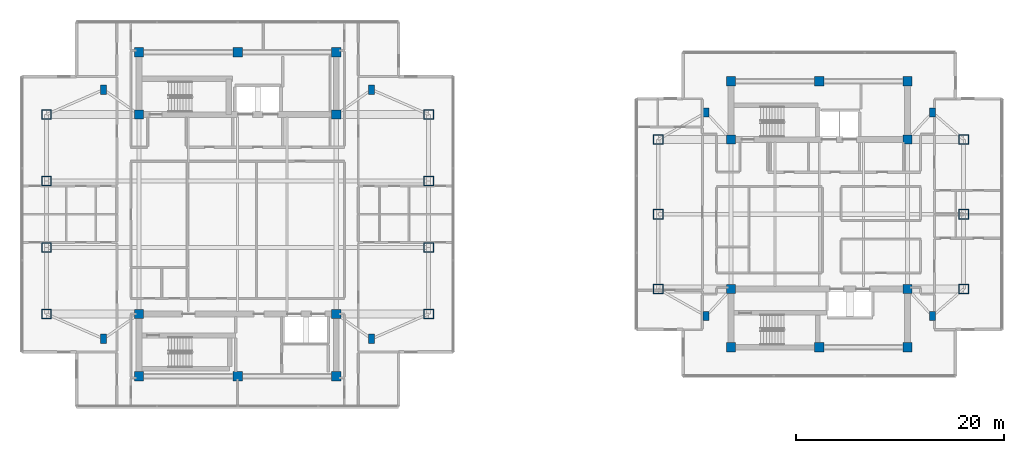
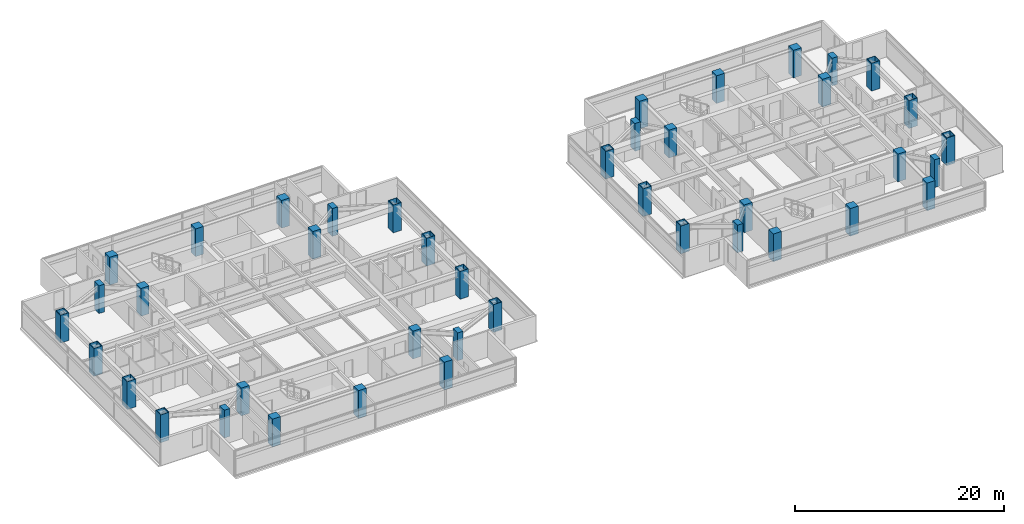
# One storey, part 1 of 24: 42 columns.
"""IFC4 building model written with IfcOpenShell, lengths in metres."""

from ifc_helpers import new_model, si_unit, direction, frame, origin, origin_2d, place, context, subcontext, project, spatial, rectangle, hollow_rectangle, extrude, material, material_profile, profile_set, type_object, element, save


model = new_model("IFC4")

# Units and contexts
model_context = context("Model", 3, precision=1e-05, world=origin(), true_north=direction((0.0, 1.0)))
body_context = subcontext(model_context, "Body", "Model", "MODEL_VIEW")
ifc_project = project(units=[si_unit("LENGTHUNIT", "METRE"), si_unit("AREAUNIT", "SQUARE_METRE"), si_unit("VOLUMEUNIT", "CUBIC_METRE"), si_unit("PLANEANGLEUNIT", "RADIAN"), si_unit("MASSUNIT", "GRAM", prefix="KILO")], contexts=[model_context])

# Site, building, storey
site_placement = place(None, origin())
site = spatial("IfcSite", under=ifc_project, at=site_placement, CompositionType="ELEMENT")
building_placement = place(site_placement, origin())
building = spatial("IfcBuilding", under=site, at=building_placement, Name="Mirazonda Arch Towers", CompositionType="ELEMENT")
storey_placement = place(building_placement, frame((0.0, 0.0, 199.89990234375)))
storey = spatial("IfcBuildingStorey", under=building, at=storey_placement, Name="L57", CompositionType="ELEMENT", Elevation=199.89990234375)

# Columns
ifc_material_1 = material(Name="Concrete C50/60", Category="concrete")
ifc_material_profile_1 = material_profile(ifc_material_1, rectangle(XDim=0.89990234375, YDim=0.89990234375, at=origin_2d()), Name="RC900x900")
ifc_profile_set_1 = profile_set([ifc_material_profile_1], Name="Concrete C50/60")
column_type_1 = type_object("IfcColumnType", Name="COL-INT-RC900x900", PredefinedType="COLUMN", material=ifc_profile_set_1)
for number, where, z_axis, x_axis, name in (
    (1, (11.0, 12.39990234375, 0.0), (0.0, 0.0, 1.0), (1.0, 0.0, 0.0), "L57 T1 Core Column 01"),
    (2, (20.5, 12.39990234375, 0.0), (0.0, 0.0, 1.0), (1.0, 0.0, 0.0), "L57 T1 Core Column 02"),
    (3, (30.0, 12.39990234375, 0.0), (0.0, 0.0, 1.0), (1.0, 0.0, 0.0), "L57 T1 Core Column 03"),
    (4, (11.0, 18.39990234375, 0.0), (0.0, 0.0, 1.0), (1.0, 0.0, 0.0), "L57 T1 Core Column 04"),
    (5, (30.0, 18.39990234375, 0.0), (0.0, 0.0, 1.0), (1.0, 0.0, 0.0), "L57 T1 Core Column 05"),
    (6, (11.0, 37.60009765625, 0.0), (0.0, 0.0, 1.0), (1.0, 0.0, 0.0), "L57 T1 Core Column 06"),
    (7, (30.0, 37.60009765625, 0.0), (0.0, 0.0, 1.0), (1.0, 0.0, 0.0), "L57 T1 Core Column 07"),
    (8, (11.0, 43.60009765625, 0.0), (0.0, 0.0, 1.0), (1.0, 0.0, 0.0), "L57 T1 Core Column 08"),
    (9, (20.5, 43.60009765625, 0.0), (0.0, 0.0, 1.0), (1.0, 0.0, 0.0), "L57 T1 Core Column 09"),
    (10, (30.0, 43.60009765625, 0.0), (0.0, 0.0, 1.0), (1.0, 0.0, 0.0), "L57 T1 Core Column 10"),
    (11, (68.0, 15.199951171875, 0.0), (0.0, 0.0, 1.0), (1.0, 0.0, 0.0), "L57 T2 Core Column 01"),
    (12, (76.5, 15.199951171875, 0.0), (0.0, 0.0, 1.0), (1.0, 0.0, 0.0), "L57 T2 Core Column 02"),
    (13, (85.0, 15.199951171875, 0.0), (0.0, 0.0, 1.0), (1.0, 0.0, 0.0), "L57 T2 Core Column 03"),
    (14, (68.0, 20.800048828125, 0.0), (0.0, 0.0, 1.0), (1.0, 0.0, 0.0), "L57 T2 Core Column 04"),
    (15, (85.0, 20.800048828125, 0.0), (0.0, 0.0, 1.0), (1.0, 0.0, 0.0), "L57 T2 Core Column 05"),
    (16, (68.0, 35.199951171875, 0.0), (0.0, 0.0, 1.0), (1.0, 0.0, 0.0), "L57 T2 Core Column 06"),
    (17, (85.0, 35.199951171875, 0.0), (0.0, 0.0, 1.0), (1.0, 0.0, 0.0), "L57 T2 Core Column 07"),
    (18, (68.0, 40.800048828125, 0.0), (0.0, 0.0, 1.0), (1.0, 0.0, 0.0), "L57 T2 Core Column 08"),
    (19, (76.5, 40.800048828125, 0.0), (0.0, 0.0, 1.0), (1.0, 0.0, 0.0), "L57 T2 Core Column 09"),
    (20, (85.0, 40.800048828125, 0.0), (0.0, 0.0, 1.0), (1.0, 0.0, 0.0), "L57 T2 Core Column 10"),
):
    element("IfcColumn", number, at=place(storey_placement, frame(where, z_axis=z_axis, x_axis=x_axis)), inside=storey, type_object=column_type_1, Name=name, PredefinedType="COLUMN", context=body_context, shape_type="SweptSolid", body=[
        extrude(rectangle(XDim=0.89990234375, YDim=0.89990234375, at=origin_2d()), origin(), (0.0, 0.0, 1.0), 3.25),
    ])
ifc_material_2 = material(Name="Steel ASTM A572 Grade 50", Category="steel")
ifc_material_profile_2 = material_profile(ifc_material_2, hollow_rectangle(XDim=0.949951171875, YDim=0.949951171875, WallThickness=0.050048828125, at=origin_2d()), Name="BOX950x950x50")
ifc_profile_set_2 = profile_set([ifc_material_profile_2], Name="Steel ASTM A572 Grade 50")
column_type_2 = type_object("IfcColumnType", Name="MCOL-EXT-BOX950x950x50", PredefinedType="COLUMN", material=ifc_profile_set_2)
for number, where, z_axis, x_axis, name in (
    (21, (2.10009765625, 18.39990234375, 0.0), (0.0, 0.0, 1.0), (1.0, 0.0, 0.0), "L57 T1 Composite Mega-Column 01"),
    (22, (2.10009765625, 24.800048828125, 0.0), (0.0, 0.0, 1.0), (1.0, 0.0, 0.0), "L57 T1 Composite Mega-Column 02"),
    (23, (2.10009765625, 31.199951171875, 0.0), (0.0, 0.0, 1.0), (1.0, 0.0, 0.0), "L57 T1 Composite Mega-Column 03"),
    (24, (2.10009765625, 37.60009765625, 0.0), (0.0, 0.0, 1.0), (1.0, 0.0, 0.0), "L57 T1 Composite Mega-Column 04"),
    (25, (38.89990234375, 18.39990234375, 0.0), (0.0, 0.0, 1.0), (1.0, 0.0, 0.0), "L57 T1 Composite Mega-Column 05"),
    (26, (38.89990234375, 24.800048828125, 0.0), (0.0, 0.0, 1.0), (1.0, 0.0, 0.0), "L57 T1 Composite Mega-Column 06"),
    (27, (38.89990234375, 31.199951171875, 0.0), (0.0, 0.0, 1.0), (1.0, 0.0, 0.0), "L57 T1 Composite Mega-Column 07"),
    (28, (38.89990234375, 37.60009765625, 0.0), (0.0, 0.0, 1.0), (1.0, 0.0, 0.0), "L57 T1 Composite Mega-Column 08"),
    (29, (61.0, 20.800048828125, 0.0), (0.0, 0.0, 1.0), (1.0, 0.0, 0.0), "L57 T2 Composite Mega-Column 01"),
    (30, (61.0, 28.0, 0.0), (0.0, 0.0, 1.0), (1.0, 0.0, 0.0), "L57 T2 Composite Mega-Column 02"),
    (31, (61.0, 35.199951171875, 0.0), (0.0, 0.0, 1.0), (1.0, 0.0, 0.0), "L57 T2 Composite Mega-Column 03"),
    (32, (90.39990234375, 20.800048828125, 0.0), (0.0, 0.0, 1.0), (1.0, 0.0, 0.0), "L57 T2 Composite Mega-Column 04"),
    (33, (90.39990234375, 28.0, 0.0), (0.0, 0.0, 1.0), (1.0, 0.0, 0.0), "L57 T2 Composite Mega-Column 05"),
    (34, (90.39990234375, 35.199951171875, 0.0), (0.0, 0.0, 1.0), (1.0, 0.0, 0.0), "L57 T2 Composite Mega-Column 06"),
):
    element("IfcColumn", number, at=place(storey_placement, frame(where, z_axis=z_axis, x_axis=x_axis)), inside=storey, type_object=column_type_2, Name=name, PredefinedType="COLUMN", context=body_context, shape_type="SweptSolid", body=[
        extrude(hollow_rectangle(XDim=0.949951171875, YDim=0.949951171875, WallThickness=0.050048828125, at=origin_2d()), origin(), (0.0, 0.0, 1.0), 3.25),
    ])
ifc_material_profile_3 = material_profile(ifc_material_1, rectangle(XDim=0.60009765625, YDim=0.89990234375, at=origin_2d()), Name="RC900x600")
ifc_profile_set_3 = profile_set([ifc_material_profile_3], Name="Concrete C50/60")
column_type_3 = type_object("IfcColumnType", Name="PIL-EXT-RC900x600", PredefinedType="PILASTER", material=ifc_profile_set_3)
for number, where, z_axis, x_axis, name in (
    (35, (7.60009765625, 16.0, 0.0), (0.0, 0.0, 1.0), (1.0, 0.0, 0.0), "L57 T1 Corner Pilaster 01"),
    (36, (33.39990234375, 16.0, 0.0), (0.0, 0.0, 1.0), (1.0, 0.0, 0.0), "L57 T1 Corner Pilaster 02"),
    (37, (7.60009765625, 40.0, 0.0), (0.0, 0.0, 1.0), (1.0, 0.0, 0.0), "L57 T1 Corner Pilaster 03"),
    (38, (33.39990234375, 40.0, 0.0), (0.0, 0.0, 1.0), (1.0, 0.0, 0.0), "L57 T1 Corner Pilaster 04"),
    (39, (65.60009765625, 18.199951171875, 0.0), (0.0, 0.0, 1.0), (1.0, 0.0, 0.0), "L57 T2 Corner Pilaster 01"),
    (40, (87.39990234375, 18.199951171875, 0.0), (0.0, 0.0, 1.0), (1.0, 0.0, 0.0), "L57 T2 Corner Pilaster 02"),
    (41, (65.60009765625, 37.800048828125, 0.0), (0.0, 0.0, 1.0), (1.0, 0.0, 0.0), "L57 T2 Corner Pilaster 03"),
    (42, (87.39990234375, 37.800048828125, 0.0), (0.0, 0.0, 1.0), (1.0, 0.0, 0.0), "L57 T2 Corner Pilaster 04"),
):
    element("IfcColumn", number, at=place(storey_placement, frame(where, z_axis=z_axis, x_axis=x_axis)), inside=storey, type_object=column_type_3, Name=name, PredefinedType="PILASTER", context=body_context, shape_type="SweptSolid", body=[
        extrude(rectangle(XDim=0.60009765625, YDim=0.89990234375, at=origin_2d()), origin(), (0.0, 0.0, 1.0), 3.25),
    ])

save(model, "model.ifc")
